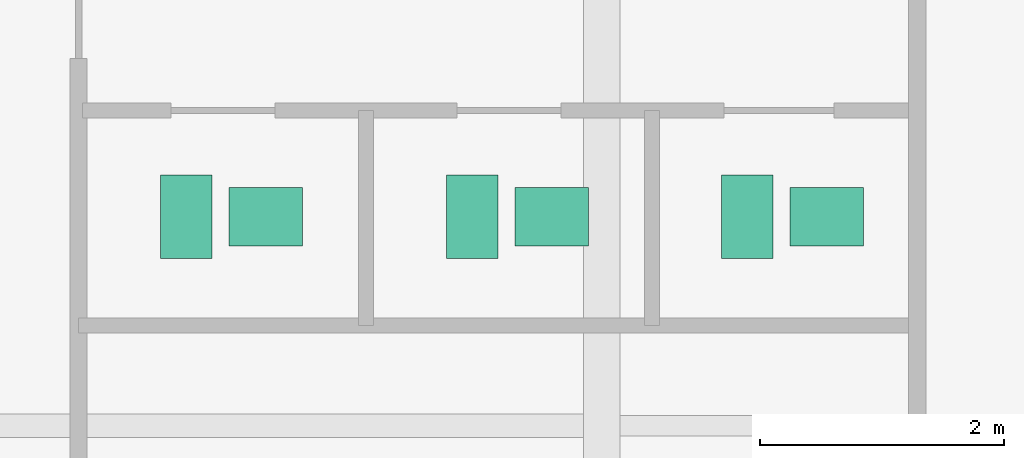
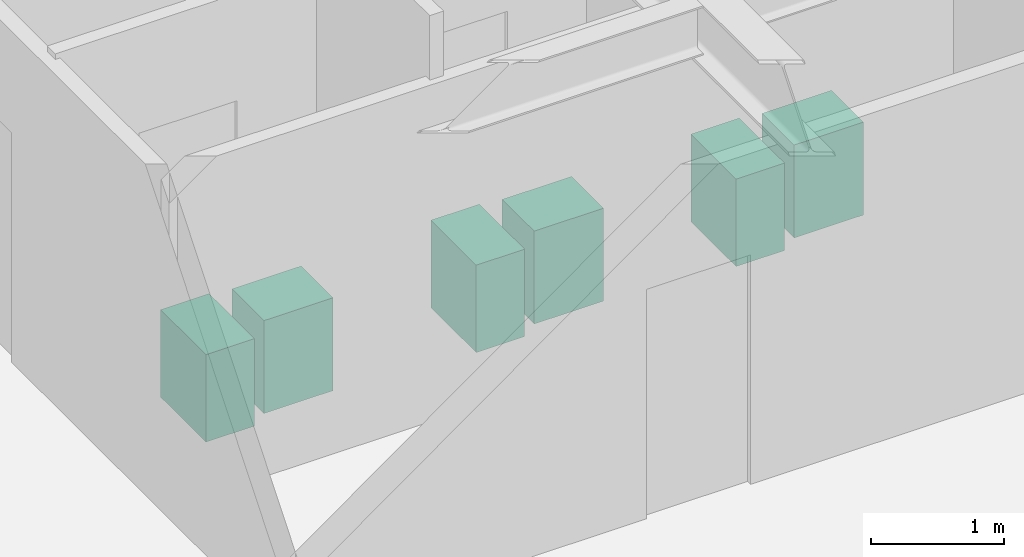
# One storey, part 25 of 25: 6 sanitary terminals.
"""IFC4 building model written with IfcOpenShell, lengths in metres."""

from ifc_helpers import new_model, si_unit, direction, frame, origin, origin_2d, place, context, subcontext, project, spatial, rectangle, extrude, source, transform, mapped, material, type_object, type_shapes, element, save


model = new_model("IFC4")

# Units and contexts
model_context = context("Model", 3, precision=1e-05, world=origin(), true_north=direction((0.0, 1.0)))
body_context = subcontext(model_context, "Body", "Model", "MODEL_VIEW")
ifc_project = project(units=[si_unit("LENGTHUNIT", "METRE"), si_unit("AREAUNIT", "SQUARE_METRE"), si_unit("VOLUMEUNIT", "CUBIC_METRE"), si_unit("PLANEANGLEUNIT", "RADIAN"), si_unit("MASSUNIT", "GRAM", prefix="KILO")], contexts=[model_context])

# Site, building, storey
site_placement = place(None, origin())
site = spatial("IfcSite", under=ifc_project, at=site_placement, CompositionType="ELEMENT")
building_placement = place(site_placement, origin())
building = spatial("IfcBuilding", under=site, at=building_placement, Name="Krantzveldt Concourse Tower", CompositionType="ELEMENT")
storey_placement = place(building_placement, frame((0.0, 0.0, 193.60009765625)))
storey = spatial("IfcBuildingStorey", under=building, at=storey_placement, Name="L47", CompositionType="ELEMENT", Elevation=193.60009765625)

# Sanitary terminals
ifc_material = material(Name="Vitreous china", Category="ceramic")
sanitary_terminal_type_1 = type_object("IfcSanitaryTerminalType", Name="SAN-WC-SUITE", PredefinedType="TOILETPAN", material=ifc_material)
shared_shape_1 = source(origin(), body_context, "Body", "SweptSolid", [
    extrude(rectangle(XDim=0.419921875, YDim=0.679931640625, at=origin_2d()), origin(), (0.0, 0.0, 1.0), 0.800048828125),
])
type_shapes(sanitary_terminal_type_1, [shared_shape_1])
for number, where, z_axis, x_axis, name in (
    (1, (38.0, 31.909912109375, 0.0), (0.0, 0.0, 1.0), (1.0, 0.0, 0.0), "WC-SP-L47-WCM"),
    (2, (40.340087890625, 31.909912109375, 0.0), (0.0, 0.0, 1.0), (1.0, 0.0, 0.0), "WC-SP-L47-WCF"),
    (3, (42.590087890625, 31.909912109375, 0.0), (0.0, 0.0, 1.0), (1.0, 0.0, 0.0), "WC-SP-L47-WCA"),
):
    element("IfcSanitaryTerminal", number, at=place(storey_placement, frame(where, z_axis=z_axis, x_axis=x_axis)), inside=storey, type_object=sanitary_terminal_type_1, Name=name, PredefinedType="TOILETPAN", context=body_context, shape_type="MappedRepresentation", body=[
        mapped(shared_shape_1, transform((0.0, 0.0, 0.0), x_axis=(1.0, 0.0, 0.0), y_axis=(0.0, 1.0, 0.0), z_axis=(0.0, 0.0, 1.0), scale=1.0)),
    ])
sanitary_terminal_type_2 = type_object("IfcSanitaryTerminalType", Name="SAN-BASIN-600", PredefinedType="WASHHANDBASIN", material=ifc_material)
shared_shape_2 = source(origin(), body_context, "Body", "SweptSolid", [
    extrude(rectangle(XDim=0.60009765625, YDim=0.47998046875, at=origin_2d()), origin(), (0.0, 0.0, 1.0), 0.85009765625),
])
type_shapes(sanitary_terminal_type_2, [shared_shape_2])
for number, where, z_axis, x_axis, name in (
    (4, (38.64990234375, 31.909912109375, 0.0048828125), (0.0, 0.0, 1.0), (1.0, 0.0, 0.0), "BSN-SP-L47-WCM"),
    (5, (40.989990234375, 31.909912109375, 0.0048828125), (0.0, 0.0, 1.0), (1.0, 0.0, 0.0), "BSN-SP-L47-WCF"),
    (6, (43.239990234375, 31.909912109375, 0.0048828125), (0.0, 0.0, 1.0), (1.0, 0.0, 0.0), "BSN-SP-L47-WCA"),
):
    element("IfcSanitaryTerminal", number, at=place(storey_placement, frame(where, z_axis=z_axis, x_axis=x_axis)), inside=storey, type_object=sanitary_terminal_type_2, Name=name, PredefinedType="WASHHANDBASIN", context=body_context, shape_type="MappedRepresentation", body=[
        mapped(shared_shape_2, transform((0.0, 0.0, 0.0), x_axis=(1.0, 0.0, 0.0), y_axis=(0.0, 1.0, 0.0), z_axis=(0.0, 0.0, 1.0), scale=1.0)),
    ])

save(model, "model.ifc")
